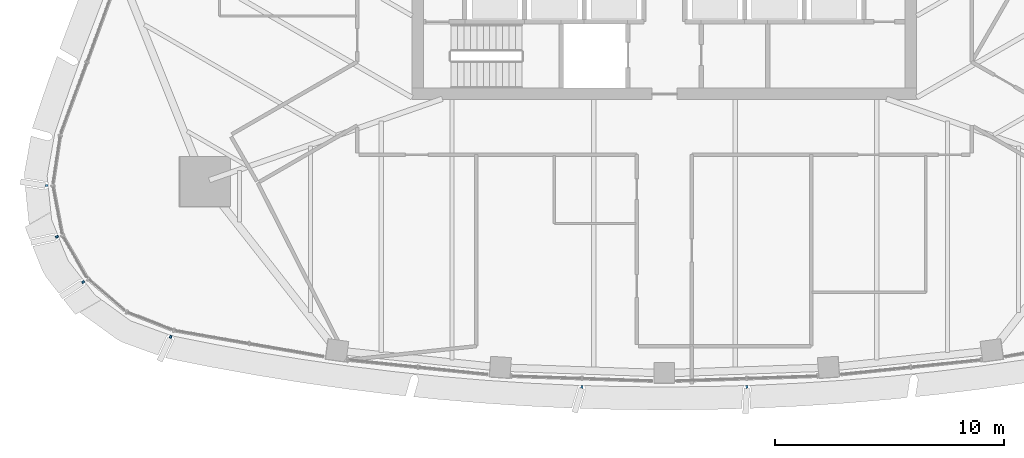
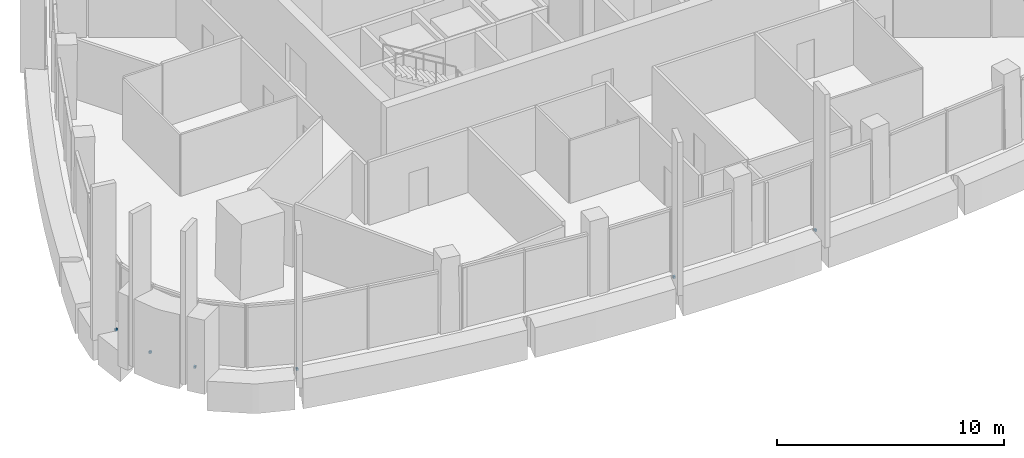
# One storey, part 12 of 19: 6 discrete accessories.
"""IFC4 building model written with IfcOpenShell, lengths in metres."""

from ifc_helpers import new_model, si_unit, direction, frame, origin, origin_2d, place, context, subcontext, project, spatial, rectangle, extrude, material, type_object, element, save


model = new_model("IFC4")

# Units and contexts
model_context = context("Model", 3, precision=1e-05, world=origin(), true_north=direction((0.0, 1.0)))
body_context = subcontext(model_context, "Body", "Model", "MODEL_VIEW")
ifc_project = project(units=[si_unit("LENGTHUNIT", "METRE"), si_unit("AREAUNIT", "SQUARE_METRE"), si_unit("VOLUMEUNIT", "CUBIC_METRE"), si_unit("PLANEANGLEUNIT", "RADIAN"), si_unit("MASSUNIT", "GRAM", prefix="KILO")], contexts=[model_context])

# Site, building, storey
site_placement = place(None, origin())
site = spatial("IfcSite", under=ifc_project, at=site_placement, CompositionType="ELEMENT")
building_placement = place(site_placement, origin())
building = spatial("IfcBuilding", under=site, at=building_placement, Name="Sierra Prisma Convention Tower", CompositionType="ELEMENT")
storey_placement = place(building_placement, frame((0.0, 0.0, 311.0)))
storey = spatial("IfcBuildingStorey", under=building, at=storey_placement, Name="L71", CompositionType="ELEMENT", Elevation=311.0)

# Discrete accessories
ifc_material = material(Name="Stainless steel 316", Category="steel")
discrete_accessory_type = type_object("IfcDiscreteAccessoryType", Name="Fin bracket", PredefinedType="BRACKET", material=ifc_material)
for number, where, z_axis, x_axis, name in (
    (1, (-21.53076171875, -18.341064453125, -0.135009765625), (0.0, 0.0, 1.0), (-0.340192319919, -0.940355882349, 0.0), "Fin bracket L71.1 base"),
    (2, (-3.59814453125, -20.52392578125, -0.135009765625), (0.0, 0.0, 1.0), (-0.028237997657, -0.999601228235, 0.0), "Fin bracket L71.8 base"),
    (3, (3.59814453125, -20.52392578125, -0.135009765625), (0.0, 0.0, 1.0), (0.028237997657, -0.999601228235, 0.0), "Fin bracket L71.11 base"),
    (4, (-26.93798828125, -11.74267578125, -0.135009765625), (0.0, 0.0, 1.0), (-0.994643168248, -0.103368118187, 0.0), "Fin bracket L71.63 base"),
    (5, (-26.48876953125, -13.97802734375, -0.135009765625), (0.0, 0.0, 1.0), (-0.927329464624, -0.374245994021, 0.0), "Fin bracket L71.64 base"),
    (6, (-25.349609375, -15.951171875, -0.135009765625), (0.0, 0.0, 1.0), (-0.787771270398, -0.615967877032, 0.0), "Fin bracket L71.65 base"),
):
    element("IfcDiscreteAccessory", number, at=place(storey_placement, frame(where, z_axis=z_axis, x_axis=x_axis)), inside=storey, type_object=discrete_accessory_type, Name=name, PredefinedType="BRACKET", context=body_context, shape_type="SweptSolid", body=[
        extrude(rectangle(XDim=0.1201171875, YDim=0.10009765625, at=origin_2d()), origin(), (0.0, 0.0, 1.0), 0.1201171875),
    ])

save(model, "model.ifc")
